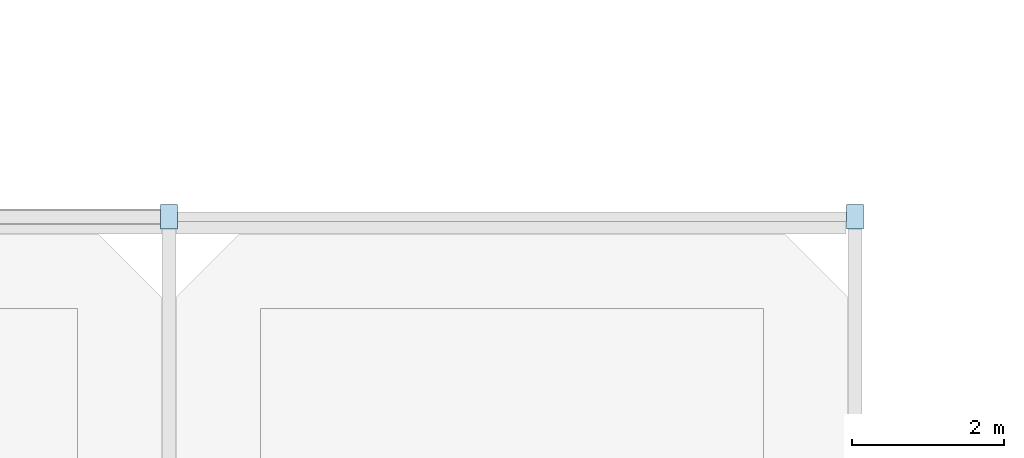
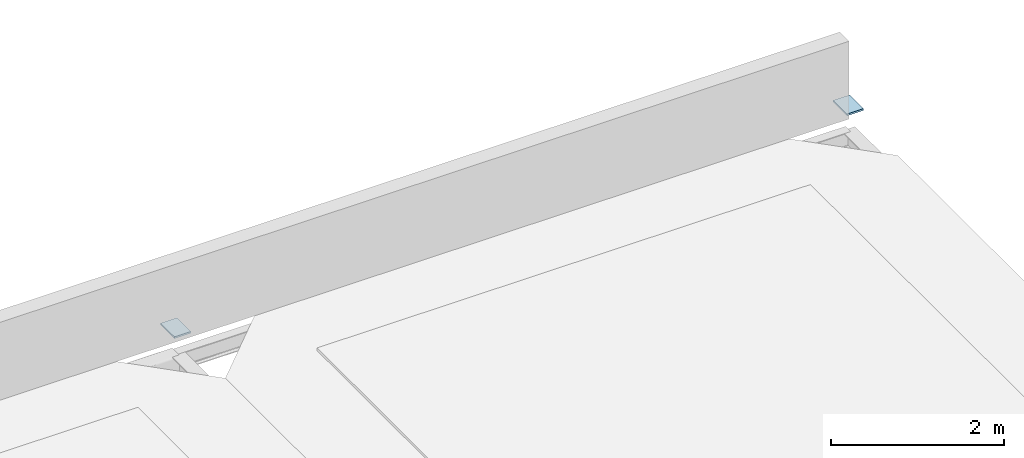
# One storey, part 37 of 44: 2 plates.
"""IFC4 building model written with IfcOpenShell, lengths in metres."""

from ifc_helpers import new_model, si_unit, direction, frame, origin, origin_2d, place, context, subcontext, project, spatial, rectangle, extrude, material, layer, layer_set, type_object, element, save


model = new_model("IFC4")

# Units and contexts
model_context = context("Model", 3, precision=1e-05, world=origin(), true_north=direction((0.0, 1.0)))
body_context = subcontext(model_context, "Body", "Model", "MODEL_VIEW")
ifc_project = project(units=[si_unit("LENGTHUNIT", "METRE"), si_unit("AREAUNIT", "SQUARE_METRE"), si_unit("VOLUMEUNIT", "CUBIC_METRE"), si_unit("PLANEANGLEUNIT", "RADIAN"), si_unit("MASSUNIT", "GRAM", prefix="KILO")], contexts=[model_context])

# Site, building, storey
site_placement = place(None, origin())
site = spatial("IfcSite", under=ifc_project, at=site_placement, CompositionType="ELEMENT")
building_placement = place(site_placement, origin())
building = spatial("IfcBuilding", under=site, at=building_placement, Name="Serraforn Aerial Cableway Station", CompositionType="ELEMENT")
storey_placement = place(building_placement, frame((0.0, 0.0, 13.800048828125)))
storey = spatial("IfcBuildingStorey", under=building, at=storey_placement, Name="L03", CompositionType="ELEMENT", Elevation=13.800048828125)

# Plates
ifc_material = material(Name="Steel S355J2", Category="steel")
ifc_layer = layer(ifc_material, 0.02490234375)
ifc_layer_set = layer_set([ifc_layer], Name="Steel S355J2")
plate_type = type_object("IfcPlateType", Name="PLT-ECP-RHS300", PredefinedType="USERDEFINED", material=ifc_layer_set)
for number, where, z_axis, x_axis, name in (
    (1, (112.199951171875, 42.0, -0.0009765625), (0.0, 0.0, 1.0), (1.0, 0.0, 0.0), "Hollow Column End Cap COL-EL-L02-15-F"),
    (2, (121.199951171875, 42.0, -0.0009765625), (0.0, 0.0, 1.0), (1.0, 0.0, 0.0), "Hollow Column End Cap COL-EL-L02-16-F"),
):
    element("IfcPlate", number, at=place(storey_placement, frame(where, z_axis=z_axis, x_axis=x_axis)), inside=storey, type_object=plate_type, Name=name, ObjectType="END CAP PLATE", PredefinedType="USERDEFINED", context=body_context, shape_type="SweptSolid", body=[
        extrude(rectangle(XDim=0.219970703125, YDim=0.320068359375, at=origin_2d()), origin(), (0.0, 0.0, 1.0), 0.02490234375),
    ])

save(model, "model.ifc")
